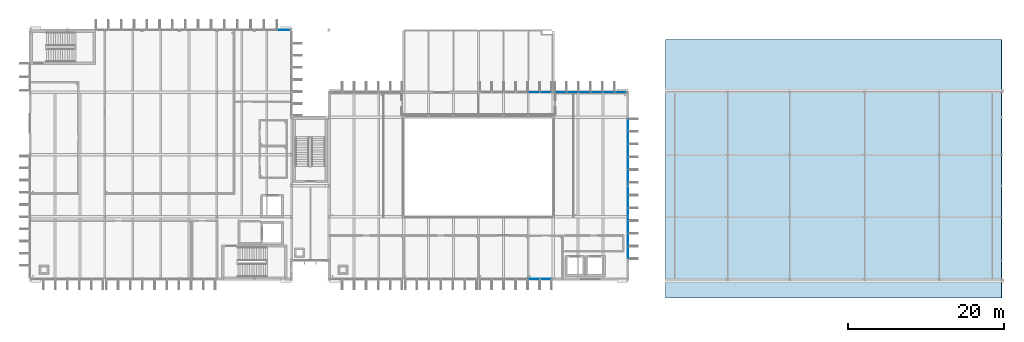
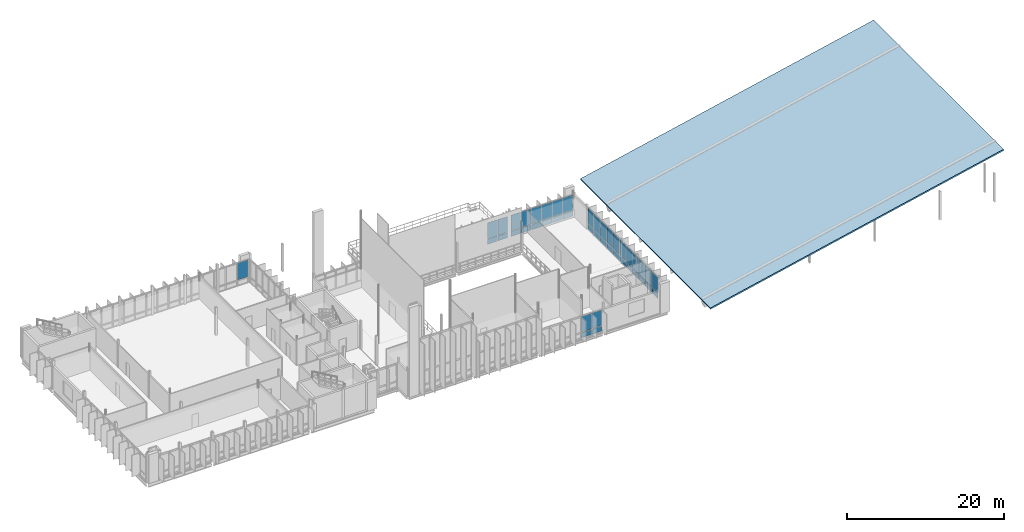
# One storey, part 21 of 41: 43 plates, 1 slab, 5 elements without a shape of their own.
"""IFC4 building model written with IfcOpenShell, lengths in metres."""

from ifc_helpers import new_model, si_unit, direction, frame, origin, origin_2d, place, context, subcontext, project, spatial, polyline, rectangle, outline, extrude, material, layer, layer_set, type_object, element, aggregate, save


model = new_model("IFC4")

# Units and contexts
model_context = context("Model", 3, precision=1e-05, world=origin(), true_north=direction((0.0, 1.0)))
body_context = subcontext(model_context, "Body", "Model", "MODEL_VIEW")
ifc_project = project(units=[si_unit("LENGTHUNIT", "METRE"), si_unit("AREAUNIT", "SQUARE_METRE"), si_unit("VOLUMEUNIT", "CUBIC_METRE"), si_unit("PLANEANGLEUNIT", "RADIAN"), si_unit("MASSUNIT", "GRAM", prefix="KILO")], contexts=[model_context])

# Site, building, storey
site_placement = place(None, origin())
site = spatial("IfcSite", under=ifc_project, at=site_placement, CompositionType="ELEMENT")
building_placement = place(site_placement, origin())
building = spatial("IfcBuilding", under=site, at=building_placement, Name="Dunescarp Central Library", CompositionType="ELEMENT")
storey_placement = place(building_placement, frame((0.0, 0.0, 23.10009765625)))
storey = spatial("IfcBuildingStorey", under=building, at=storey_placement, Name="L05", CompositionType="ELEMENT", Elevation=23.10009765625)

# Curtain wall, plate
ifc_material_1 = material(Name="Marine-grade anodised aluminium 6063-T6", Category="aluminium")
curtain_wall_type = type_object("IfcCurtainWallType", Name="ARC-CW-STICK", PredefinedType="NOTDEFINED", material=ifc_material_1)
curtain_wall_1_placement = place(storey_placement, origin())
curtain_wall_1 = element("IfcCurtainWall", 1, at=curtain_wall_1_placement, inside=storey, type_object=curtain_wall_type, Name="L05 curtain wall CW-V1-033", PredefinedType="NOTDEFINED")
ifc_material_2 = material(Name="Solar-control laminated double glazing", Category="glass")
ifc_layer_1 = layer(ifc_material_2, 0.028076171875)
ifc_layer_set_1 = layer_set([ifc_layer_1], Name="Solar-control laminated double glazing")
plate_type_1 = type_object("IfcPlateType", Name="ARC-PLT-GLZ28", PredefinedType="CURTAIN_PANEL", material=ifc_layer_set_1)
plate_1_placement = place(storey_placement, frame((32.560302734375, 36.800048828125, 0.93994140625), z_axis=(0.0, 0.0, 1.0), x_axis=(1.0, 0.0, 0.0)))
plate_1 = element("IfcPlate", 2, at=plate_1_placement, type_object=plate_type_1, Name="CW-V1-033 panel 7.2", PredefinedType="CURTAIN_PANEL", context=body_context, shape_type="SweptSolid", body=[
    extrude(rectangle(XDim=1.5693359375, YDim=0.028076171875, at=origin_2d()), origin(), (0.0, 0.0, 1.0), 2.633056640625),
])
aggregate(curtain_wall_1, [plate_1])

# Curtain wall, plates
curtain_wall_2_placement = place(storey_placement, origin())
curtain_wall_2 = element("IfcCurtainWall", 3, at=curtain_wall_2_placement, inside=storey, type_object=curtain_wall_type, Name="L05 curtain wall CW-V2-076", PredefinedType="NOTDEFINED")
plate_2_placement = place(storey_placement, frame((66.234130859375, 4.800048828125, 0.93994140625), z_axis=(0.0, 0.0, 1.0), x_axis=(-1.0, 0.0, 0.0)))
plate_2 = element("IfcPlate", 4, at=plate_2_placement, type_object=plate_type_1, Name="CW-V2-076 panel 1.2", PredefinedType="CURTAIN_PANEL", context=body_context, shape_type="SweptSolid", body=[
    extrude(rectangle(XDim=1.421630859375, YDim=0.028076171875, at=origin_2d()), origin(), (0.0, 0.0, 1.0), 2.452880859375),
])
plate_3_placement = place(storey_placement, frame((64.71240234375, 4.800048828125, 0.93994140625), z_axis=(0.0, 0.0, 1.0), x_axis=(-1.0, 0.0, 0.0)))
plate_3 = element("IfcPlate", 5, at=plate_3_placement, type_object=plate_type_1, Name="CW-V2-076 panel 2.2", PredefinedType="CURTAIN_PANEL", context=body_context, shape_type="SweptSolid", body=[
    extrude(rectangle(XDim=1.461669921875, YDim=0.028076171875, at=origin_2d()), origin(), (0.0, 0.0, 1.0), 2.452880859375),
])

curtain_wall_3_placement = place(storey_placement, origin())
curtain_wall_3 = element("IfcCurtainWall", 6, at=curtain_wall_3_placement, inside=storey, type_object=curtain_wall_type, Name="L05 curtain wall CW-V2-078", PredefinedType="NOTDEFINED")
plate_4_placement = place(storey_placement, frame((64.71240234375, 28.800048828125, 0.93994140625), z_axis=(0.0, 0.0, 1.0), x_axis=(1.0, 0.0, 0.0)))
plate_4 = element("IfcPlate", 7, at=plate_4_placement, type_object=plate_type_1, Name="CW-V2-078 panel 5.2", PredefinedType="CURTAIN_PANEL", context=body_context, shape_type="SweptSolid", body=[
    extrude(rectangle(XDim=1.461669921875, YDim=0.028076171875, at=origin_2d()), origin(), (0.0, 0.0, 1.0), 2.446044921875),
])
plate_5_placement = place(storey_placement, frame((66.234130859375, 28.800048828125, 0.93994140625), z_axis=(0.0, 0.0, 1.0), x_axis=(1.0, 0.0, 0.0)))
plate_5 = element("IfcPlate", 8, at=plate_5_placement, type_object=plate_type_1, Name="CW-V2-078 panel 6.2", PredefinedType="CURTAIN_PANEL", context=body_context, shape_type="SweptSolid", body=[
    extrude(rectangle(XDim=1.421630859375, YDim=0.028076171875, at=origin_2d()), origin(), (0.0, 0.0, 1.0), 2.446044921875),
])

curtain_wall_4_placement = place(storey_placement, origin())
curtain_wall_4 = element("IfcCurtainWall", 9, at=curtain_wall_4_placement, inside=storey, type_object=curtain_wall_type, Name="L05 curtain wall CW-V2-079", PredefinedType="NOTDEFINED")
plate_6_placement = place(storey_placement, frame((68.165771484375, 28.800048828125, 0.93994140625), z_axis=(0.0, 0.0, 1.0), x_axis=(1.0, 0.0, 0.0)))
plate_6 = element("IfcPlate", 10, at=plate_6_placement, type_object=plate_type_1, Name="CW-V2-079 panel 1.2", PredefinedType="CURTAIN_PANEL", context=body_context, shape_type="SweptSolid", body=[
    extrude(rectangle(XDim=1.421630859375, YDim=0.028076171875, at=origin_2d()), origin(), (0.0, 0.0, 1.0), 2.446044921875),
])
plate_7_placement = place(storey_placement, frame((69.6875, 28.800048828125, 0.93994140625), z_axis=(0.0, 0.0, 1.0), x_axis=(1.0, 0.0, 0.0)))
plate_7 = element("IfcPlate", 11, at=plate_7_placement, type_object=plate_type_1, Name="CW-V2-079 panel 2.2", PredefinedType="CURTAIN_PANEL", context=body_context, shape_type="SweptSolid", body=[
    extrude(rectangle(XDim=1.461669921875, YDim=0.028076171875, at=origin_2d()), origin(), (0.0, 0.0, 1.0), 2.446044921875),
])
plate_8_placement = place(storey_placement, frame((71.229248046875, 28.800048828125, 0.93994140625), z_axis=(0.0, 0.0, 1.0), x_axis=(1.0, 0.0, 0.0)))
plate_8 = element("IfcPlate", 12, at=plate_8_placement, type_object=plate_type_1, Name="CW-V2-079 panel 3.2", PredefinedType="CURTAIN_PANEL", context=body_context, shape_type="SweptSolid", body=[
    extrude(rectangle(XDim=1.461669921875, YDim=0.028076171875, at=origin_2d()), origin(), (0.0, 0.0, 1.0), 2.446044921875),
])
plate_9_placement = place(storey_placement, frame((72.770751953125, 28.800048828125, 0.93994140625), z_axis=(0.0, 0.0, 1.0), x_axis=(1.0, 0.0, 0.0)))
plate_9 = element("IfcPlate", 13, at=plate_9_placement, type_object=plate_type_1, Name="CW-V2-079 panel 4.2", PredefinedType="CURTAIN_PANEL", context=body_context, shape_type="SweptSolid", body=[
    extrude(rectangle(XDim=1.461669921875, YDim=0.028076171875, at=origin_2d()), origin(), (0.0, 0.0, 1.0), 2.446044921875),
])
plate_10_placement = place(storey_placement, frame((74.3125, 28.800048828125, 0.93994140625), z_axis=(0.0, 0.0, 1.0), x_axis=(1.0, 0.0, 0.0)))
plate_10 = element("IfcPlate", 14, at=plate_10_placement, type_object=plate_type_1, Name="CW-V2-079 panel 5.2", PredefinedType="CURTAIN_PANEL", context=body_context, shape_type="SweptSolid", body=[
    extrude(rectangle(XDim=1.461669921875, YDim=0.028076171875, at=origin_2d()), origin(), (0.0, 0.0, 1.0), 2.446044921875),
])
plate_11_placement = place(storey_placement, frame((75.834228515625, 28.800048828125, 0.93994140625), z_axis=(0.0, 0.0, 1.0), x_axis=(1.0, 0.0, 0.0)))
plate_11 = element("IfcPlate", 15, at=plate_11_placement, type_object=plate_type_1, Name="CW-V2-079 panel 6.2", PredefinedType="CURTAIN_PANEL", context=body_context, shape_type="SweptSolid", body=[
    extrude(rectangle(XDim=1.421630859375, YDim=0.028076171875, at=origin_2d()), origin(), (0.0, 0.0, 1.0), 2.446044921875),
])

curtain_wall_5_placement = place(storey_placement, origin())
curtain_wall_5 = element("IfcCurtainWall", 16, at=curtain_wall_5_placement, inside=storey, type_object=curtain_wall_type, Name="L05 curtain wall CW-V2-080", PredefinedType="NOTDEFINED")
plate_12_placement = place(storey_placement, frame((76.800048828125, 24.58447265625, 0.93994140625), z_axis=(0.0, 0.0, 1.0), x_axis=(0.0, -1.0, 0.0)))
plate_12 = element("IfcPlate", 17, at=plate_12_placement, type_object=plate_type_1, Name="CW-V2-080 panel 1.2", PredefinedType="CURTAIN_PANEL", context=body_context, shape_type="SweptSolid", body=[
    extrude(rectangle(XDim=1.52099609375, YDim=0.028076171875, at=origin_2d()), origin(), (0.0, 0.0, 1.0), 2.452880859375),
])
plate_13_placement = place(storey_placement, frame((76.800048828125, 22.963623046875, 0.93994140625), z_axis=(0.0, 0.0, 1.0), x_axis=(0.0, -1.0, 0.0)))
plate_13 = element("IfcPlate", 18, at=plate_13_placement, type_object=plate_type_1, Name="CW-V2-080 panel 2.2", PredefinedType="CURTAIN_PANEL", context=body_context, shape_type="SweptSolid", body=[
    extrude(rectangle(XDim=1.560791015625, YDim=0.028076171875, at=origin_2d()), origin(), (0.0, 0.0, 1.0), 2.452880859375),
])
plate_14_placement = place(storey_placement, frame((76.800048828125, 21.32275390625, 0.93994140625), z_axis=(0.0, 0.0, 1.0), x_axis=(0.0, -1.0, 0.0)))
plate_14 = element("IfcPlate", 19, at=plate_14_placement, type_object=plate_type_1, Name="CW-V2-080 panel 3.2", PredefinedType="CURTAIN_PANEL", context=body_context, shape_type="SweptSolid", body=[
    extrude(rectangle(XDim=1.560791015625, YDim=0.028076171875, at=origin_2d()), origin(), (0.0, 0.0, 1.0), 2.452880859375),
])
plate_15_placement = place(storey_placement, frame((76.800048828125, 19.681884765625, 0.93994140625), z_axis=(0.0, 0.0, 1.0), x_axis=(0.0, -1.0, 0.0)))
plate_15 = element("IfcPlate", 20, at=plate_15_placement, type_object=plate_type_1, Name="CW-V2-080 panel 4.2", PredefinedType="CURTAIN_PANEL", context=body_context, shape_type="SweptSolid", body=[
    extrude(rectangle(XDim=1.560791015625, YDim=0.028076171875, at=origin_2d()), origin(), (0.0, 0.0, 1.0), 2.452880859375),
])
plate_16_placement = place(storey_placement, frame((76.800048828125, 18.041015625, 0.93994140625), z_axis=(0.0, 0.0, 1.0), x_axis=(0.0, -1.0, 0.0)))
plate_16 = element("IfcPlate", 21, at=plate_16_placement, type_object=plate_type_1, Name="CW-V2-080 panel 5.2", PredefinedType="CURTAIN_PANEL", context=body_context, shape_type="SweptSolid", body=[
    extrude(rectangle(XDim=1.560791015625, YDim=0.028076171875, at=origin_2d()), origin(), (0.0, 0.0, 1.0), 2.452880859375),
])
plate_17_placement = place(storey_placement, frame((76.800048828125, 16.39990234375, 0.93994140625), z_axis=(0.0, 0.0, 1.0), x_axis=(0.0, -1.0, 0.0)))
plate_17 = element("IfcPlate", 22, at=plate_17_placement, type_object=plate_type_1, Name="CW-V2-080 panel 6.2", PredefinedType="CURTAIN_PANEL", context=body_context, shape_type="SweptSolid", body=[
    extrude(rectangle(XDim=1.560791015625, YDim=0.028076171875, at=origin_2d()), origin(), (0.0, 0.0, 1.0), 2.452880859375),
])
plate_18_placement = place(storey_placement, frame((76.800048828125, 14.759033203125, 0.93994140625), z_axis=(0.0, 0.0, 1.0), x_axis=(0.0, -1.0, 0.0)))
plate_18 = element("IfcPlate", 23, at=plate_18_placement, type_object=plate_type_1, Name="CW-V2-080 panel 7.2", PredefinedType="CURTAIN_PANEL", context=body_context, shape_type="SweptSolid", body=[
    extrude(rectangle(XDim=1.560791015625, YDim=0.028076171875, at=origin_2d()), origin(), (0.0, 0.0, 1.0), 2.452880859375),
])
plate_19_placement = place(storey_placement, frame((76.800048828125, 13.1181640625, 0.93994140625), z_axis=(0.0, 0.0, 1.0), x_axis=(0.0, -1.0, 0.0)))
plate_19 = element("IfcPlate", 24, at=plate_19_placement, type_object=plate_type_1, Name="CW-V2-080 panel 8.2", PredefinedType="CURTAIN_PANEL", context=body_context, shape_type="SweptSolid", body=[
    extrude(rectangle(XDim=1.560791015625, YDim=0.028076171875, at=origin_2d()), origin(), (0.0, 0.0, 1.0), 2.452880859375),
])
plate_20_placement = place(storey_placement, frame((76.800048828125, 11.477294921875, 0.93994140625), z_axis=(0.0, 0.0, 1.0), x_axis=(0.0, -1.0, 0.0)))
plate_20 = element("IfcPlate", 25, at=plate_20_placement, type_object=plate_type_1, Name="CW-V2-080 panel 9.2", PredefinedType="CURTAIN_PANEL", context=body_context, shape_type="SweptSolid", body=[
    extrude(rectangle(XDim=1.560791015625, YDim=0.028076171875, at=origin_2d()), origin(), (0.0, 0.0, 1.0), 2.452880859375),
])
plate_21_placement = place(storey_placement, frame((76.800048828125, 9.83642578125, 0.93994140625), z_axis=(0.0, 0.0, 1.0), x_axis=(0.0, -1.0, 0.0)))
plate_21 = element("IfcPlate", 26, at=plate_21_placement, type_object=plate_type_1, Name="CW-V2-080 panel 10.2", PredefinedType="CURTAIN_PANEL", context=body_context, shape_type="SweptSolid", body=[
    extrude(rectangle(XDim=1.560791015625, YDim=0.028076171875, at=origin_2d()), origin(), (0.0, 0.0, 1.0), 2.452880859375),
])
plate_22_placement = place(storey_placement, frame((76.800048828125, 8.215576171875, 0.93994140625), z_axis=(0.0, 0.0, 1.0), x_axis=(0.0, -1.0, 0.0)))
plate_22 = element("IfcPlate", 27, at=plate_22_placement, type_object=plate_type_1, Name="CW-V2-080 panel 11.2", PredefinedType="CURTAIN_PANEL", context=body_context, shape_type="SweptSolid", body=[
    extrude(rectangle(XDim=1.52099609375, YDim=0.028076171875, at=origin_2d()), origin(), (0.0, 0.0, 1.0), 2.452880859375),
])

# Plate
ifc_layer_2 = layer(ifc_material_1, 0.050048828125)
ifc_layer_set_2 = layer_set([ifc_layer_2], Name="Marine-grade anodised aluminium 6063-T6")
plate_type_2 = type_object("IfcPlateType", Name="ARC-PLT-SPN50", PredefinedType="SHEET", material=ifc_layer_set_2)
plate_23_placement = place(storey_placement, frame((66.234130859375, 4.800048828125, 0.080078125), z_axis=(0.0, 0.0, 1.0), x_axis=(-1.0, 0.0, 0.0)))
plate_23 = element("IfcPlate", 28, at=plate_23_placement, type_object=plate_type_2, Name="CW-V2-076 panel 1.1", PredefinedType="SHEET", context=body_context, shape_type="SweptSolid", body=[
    extrude(rectangle(XDim=1.421630859375, YDim=0.050048828125, at=origin_2d()), origin(), (0.0, 0.0, 1.0), 0.780029296875),
])

plate_24_placement = place(storey_placement, frame((64.71240234375, 4.800048828125, 0.080078125), z_axis=(0.0, 0.0, 1.0), x_axis=(-1.0, 0.0, 0.0)))
plate_24 = element("IfcPlate", 29, at=plate_24_placement, type_object=plate_type_2, Name="CW-V2-076 panel 2.1", PredefinedType="SHEET", context=body_context, shape_type="SweptSolid", body=[
    extrude(rectangle(XDim=1.461669921875, YDim=0.050048828125, at=origin_2d()), origin(), (0.0, 0.0, 1.0), 0.780029296875),
])

aggregate(curtain_wall_2, [plate_23, plate_2, plate_24, plate_3])

plate_25_placement = place(storey_placement, frame((64.71240234375, 28.800048828125, 0.080078125), z_axis=(0.0, 0.0, 1.0), x_axis=(1.0, 0.0, 0.0)))
plate_25 = element("IfcPlate", 30, at=plate_25_placement, type_object=plate_type_2, Name="CW-V2-078 panel 5.1", PredefinedType="SHEET", context=body_context, shape_type="SweptSolid", body=[
    extrude(rectangle(XDim=1.461669921875, YDim=0.050048828125, at=origin_2d()), origin(), (0.0, 0.0, 1.0), 0.780029296875),
])

plate_26_placement = place(storey_placement, frame((66.234130859375, 28.800048828125, 0.080078125), z_axis=(0.0, 0.0, 1.0), x_axis=(1.0, 0.0, 0.0)))
plate_26 = element("IfcPlate", 31, at=plate_26_placement, type_object=plate_type_2, Name="CW-V2-078 panel 6.1", PredefinedType="SHEET", context=body_context, shape_type="SweptSolid", body=[
    extrude(rectangle(XDim=1.421630859375, YDim=0.050048828125, at=origin_2d()), origin(), (0.0, 0.0, 1.0), 0.780029296875),
])

aggregate(curtain_wall_3, [plate_25, plate_4, plate_26, plate_5])

plate_27_placement = place(storey_placement, frame((68.165771484375, 28.800048828125, 0.080078125), z_axis=(0.0, 0.0, 1.0), x_axis=(1.0, 0.0, 0.0)))
plate_27 = element("IfcPlate", 32, at=plate_27_placement, type_object=plate_type_2, Name="CW-V2-079 panel 1.1", PredefinedType="SHEET", context=body_context, shape_type="SweptSolid", body=[
    extrude(rectangle(XDim=1.421630859375, YDim=0.050048828125, at=origin_2d()), origin(), (0.0, 0.0, 1.0), 0.780029296875),
])

plate_28_placement = place(storey_placement, frame((69.6875, 28.800048828125, 0.080078125), z_axis=(0.0, 0.0, 1.0), x_axis=(1.0, 0.0, 0.0)))
plate_28 = element("IfcPlate", 33, at=plate_28_placement, type_object=plate_type_2, Name="CW-V2-079 panel 2.1", PredefinedType="SHEET", context=body_context, shape_type="SweptSolid", body=[
    extrude(rectangle(XDim=1.461669921875, YDim=0.050048828125, at=origin_2d()), origin(), (0.0, 0.0, 1.0), 0.780029296875),
])

plate_29_placement = place(storey_placement, frame((71.229248046875, 28.800048828125, 0.080078125), z_axis=(0.0, 0.0, 1.0), x_axis=(1.0, 0.0, 0.0)))
plate_29 = element("IfcPlate", 34, at=plate_29_placement, type_object=plate_type_2, Name="CW-V2-079 panel 3.1", PredefinedType="SHEET", context=body_context, shape_type="SweptSolid", body=[
    extrude(rectangle(XDim=1.461669921875, YDim=0.050048828125, at=origin_2d()), origin(), (0.0, 0.0, 1.0), 0.780029296875),
])

plate_30_placement = place(storey_placement, frame((72.770751953125, 28.800048828125, 0.080078125), z_axis=(0.0, 0.0, 1.0), x_axis=(1.0, 0.0, 0.0)))
plate_30 = element("IfcPlate", 35, at=plate_30_placement, type_object=plate_type_2, Name="CW-V2-079 panel 4.1", PredefinedType="SHEET", context=body_context, shape_type="SweptSolid", body=[
    extrude(rectangle(XDim=1.461669921875, YDim=0.050048828125, at=origin_2d()), origin(), (0.0, 0.0, 1.0), 0.780029296875),
])

plate_31_placement = place(storey_placement, frame((74.3125, 28.800048828125, 0.080078125), z_axis=(0.0, 0.0, 1.0), x_axis=(1.0, 0.0, 0.0)))
plate_31 = element("IfcPlate", 36, at=plate_31_placement, type_object=plate_type_2, Name="CW-V2-079 panel 5.1", PredefinedType="SHEET", context=body_context, shape_type="SweptSolid", body=[
    extrude(rectangle(XDim=1.461669921875, YDim=0.050048828125, at=origin_2d()), origin(), (0.0, 0.0, 1.0), 0.780029296875),
])

plate_32_placement = place(storey_placement, frame((75.834228515625, 28.800048828125, 0.080078125), z_axis=(0.0, 0.0, 1.0), x_axis=(1.0, 0.0, 0.0)))
plate_32 = element("IfcPlate", 37, at=plate_32_placement, type_object=plate_type_2, Name="CW-V2-079 panel 6.1", PredefinedType="SHEET", context=body_context, shape_type="SweptSolid", body=[
    extrude(rectangle(XDim=1.421630859375, YDim=0.050048828125, at=origin_2d()), origin(), (0.0, 0.0, 1.0), 0.780029296875),
])

aggregate(curtain_wall_4, [plate_27, plate_6, plate_28, plate_7, plate_29, plate_8, plate_30, plate_9, plate_31, plate_10, plate_32, plate_11])

plate_33_placement = place(storey_placement, frame((76.800048828125, 24.58447265625, 0.080078125), z_axis=(0.0, 0.0, 1.0), x_axis=(0.0, -1.0, 0.0)))
plate_33 = element("IfcPlate", 38, at=plate_33_placement, type_object=plate_type_2, Name="CW-V2-080 panel 1.1", PredefinedType="SHEET", context=body_context, shape_type="SweptSolid", body=[
    extrude(rectangle(XDim=1.52099609375, YDim=0.050048828125, at=origin_2d()), origin(), (0.0, 0.0, 1.0), 0.780029296875),
])

plate_34_placement = place(storey_placement, frame((76.800048828125, 22.963623046875, 0.080078125), z_axis=(0.0, 0.0, 1.0), x_axis=(0.0, -1.0, 0.0)))
plate_34 = element("IfcPlate", 39, at=plate_34_placement, type_object=plate_type_2, Name="CW-V2-080 panel 2.1", PredefinedType="SHEET", context=body_context, shape_type="SweptSolid", body=[
    extrude(rectangle(XDim=1.560791015625, YDim=0.050048828125, at=origin_2d()), origin(), (0.0, 0.0, 1.0), 0.780029296875),
])

plate_35_placement = place(storey_placement, frame((76.800048828125, 21.32275390625, 0.080078125), z_axis=(0.0, 0.0, 1.0), x_axis=(0.0, -1.0, 0.0)))
plate_35 = element("IfcPlate", 40, at=plate_35_placement, type_object=plate_type_2, Name="CW-V2-080 panel 3.1", PredefinedType="SHEET", context=body_context, shape_type="SweptSolid", body=[
    extrude(rectangle(XDim=1.560791015625, YDim=0.050048828125, at=origin_2d()), origin(), (0.0, 0.0, 1.0), 0.780029296875),
])

plate_36_placement = place(storey_placement, frame((76.800048828125, 19.681884765625, 0.080078125), z_axis=(0.0, 0.0, 1.0), x_axis=(0.0, -1.0, 0.0)))
plate_36 = element("IfcPlate", 41, at=plate_36_placement, type_object=plate_type_2, Name="CW-V2-080 panel 4.1", PredefinedType="SHEET", context=body_context, shape_type="SweptSolid", body=[
    extrude(rectangle(XDim=1.560791015625, YDim=0.050048828125, at=origin_2d()), origin(), (0.0, 0.0, 1.0), 0.780029296875),
])

plate_37_placement = place(storey_placement, frame((76.800048828125, 18.041015625, 0.080078125), z_axis=(0.0, 0.0, 1.0), x_axis=(0.0, -1.0, 0.0)))
plate_37 = element("IfcPlate", 42, at=plate_37_placement, type_object=plate_type_2, Name="CW-V2-080 panel 5.1", PredefinedType="SHEET", context=body_context, shape_type="SweptSolid", body=[
    extrude(rectangle(XDim=1.560791015625, YDim=0.050048828125, at=origin_2d()), origin(), (0.0, 0.0, 1.0), 0.780029296875),
])

plate_38_placement = place(storey_placement, frame((76.800048828125, 16.39990234375, 0.080078125), z_axis=(0.0, 0.0, 1.0), x_axis=(0.0, -1.0, 0.0)))
plate_38 = element("IfcPlate", 43, at=plate_38_placement, type_object=plate_type_2, Name="CW-V2-080 panel 6.1", PredefinedType="SHEET", context=body_context, shape_type="SweptSolid", body=[
    extrude(rectangle(XDim=1.560791015625, YDim=0.050048828125, at=origin_2d()), origin(), (0.0, 0.0, 1.0), 0.780029296875),
])

plate_39_placement = place(storey_placement, frame((76.800048828125, 14.759033203125, 0.080078125), z_axis=(0.0, 0.0, 1.0), x_axis=(0.0, -1.0, 0.0)))
plate_39 = element("IfcPlate", 44, at=plate_39_placement, type_object=plate_type_2, Name="CW-V2-080 panel 7.1", PredefinedType="SHEET", context=body_context, shape_type="SweptSolid", body=[
    extrude(rectangle(XDim=1.560791015625, YDim=0.050048828125, at=origin_2d()), origin(), (0.0, 0.0, 1.0), 0.780029296875),
])

plate_40_placement = place(storey_placement, frame((76.800048828125, 13.1181640625, 0.080078125), z_axis=(0.0, 0.0, 1.0), x_axis=(0.0, -1.0, 0.0)))
plate_40 = element("IfcPlate", 45, at=plate_40_placement, type_object=plate_type_2, Name="CW-V2-080 panel 8.1", PredefinedType="SHEET", context=body_context, shape_type="SweptSolid", body=[
    extrude(rectangle(XDim=1.560791015625, YDim=0.050048828125, at=origin_2d()), origin(), (0.0, 0.0, 1.0), 0.780029296875),
])

plate_41_placement = place(storey_placement, frame((76.800048828125, 11.477294921875, 0.080078125), z_axis=(0.0, 0.0, 1.0), x_axis=(0.0, -1.0, 0.0)))
plate_41 = element("IfcPlate", 46, at=plate_41_placement, type_object=plate_type_2, Name="CW-V2-080 panel 9.1", PredefinedType="SHEET", context=body_context, shape_type="SweptSolid", body=[
    extrude(rectangle(XDim=1.560791015625, YDim=0.050048828125, at=origin_2d()), origin(), (0.0, 0.0, 1.0), 0.780029296875),
])

plate_42_placement = place(storey_placement, frame((76.800048828125, 9.83642578125, 0.080078125), z_axis=(0.0, 0.0, 1.0), x_axis=(0.0, -1.0, 0.0)))
plate_42 = element("IfcPlate", 47, at=plate_42_placement, type_object=plate_type_2, Name="CW-V2-080 panel 10.1", PredefinedType="SHEET", context=body_context, shape_type="SweptSolid", body=[
    extrude(rectangle(XDim=1.560791015625, YDim=0.050048828125, at=origin_2d()), origin(), (0.0, 0.0, 1.0), 0.780029296875),
])

plate_43_placement = place(storey_placement, frame((76.800048828125, 8.215576171875, 0.080078125), z_axis=(0.0, 0.0, 1.0), x_axis=(0.0, -1.0, 0.0)))
plate_43 = element("IfcPlate", 48, at=plate_43_placement, type_object=plate_type_2, Name="CW-V2-080 panel 11.1", PredefinedType="SHEET", context=body_context, shape_type="SweptSolid", body=[
    extrude(rectangle(XDim=1.52099609375, YDim=0.050048828125, at=origin_2d()), origin(), (0.0, 0.0, 1.0), 0.780029296875),
])

aggregate(curtain_wall_5, [plate_33, plate_12, plate_34, plate_13, plate_35, plate_14, plate_36, plate_15, plate_37, plate_16, plate_38, plate_17, plate_39, plate_18, plate_40, plate_19, plate_41, plate_20, plate_42, plate_21, plate_43, plate_22])

# Slab
ifc_material_3 = material(Name="Concrete C35/45", Category="concrete")
ifc_layer_3 = layer(ifc_material_3, 0.219970703125)
ifc_layer_set_3 = layer_set([ifc_layer_3], Name="Concrete C35/45")
slab_type = type_object("IfcSlabType", Name="STR-SLB-ROOF220", PredefinedType="ROOF", material=ifc_layer_set_3)
slab_placement = place(storey_placement, frame((81.60009765625, 2.39990234375, 0.0), z_axis=(-0.216927537139, 0.0, 0.976187709219), x_axis=(0.976187709219, 0.0, 0.216927537139)))
element("IfcSlab", 49, at=slab_placement, inside=storey, type_object=slab_type, Name="L05 single-pitch roof slab V3", PredefinedType="ROOF", context=body_context, shape_type="SweptSolid", body=[
    extrude(outline(polyline([(0.0, 0.0), (44.253733952897605, 0.0), (44.253733952897605, 33.2001953125), (0.0, 33.2001953125), (0.0, 0.0)])), origin(), (0.0, 0.0, -1.0), 0.219970703125),
])

save(model, "model.ifc")
